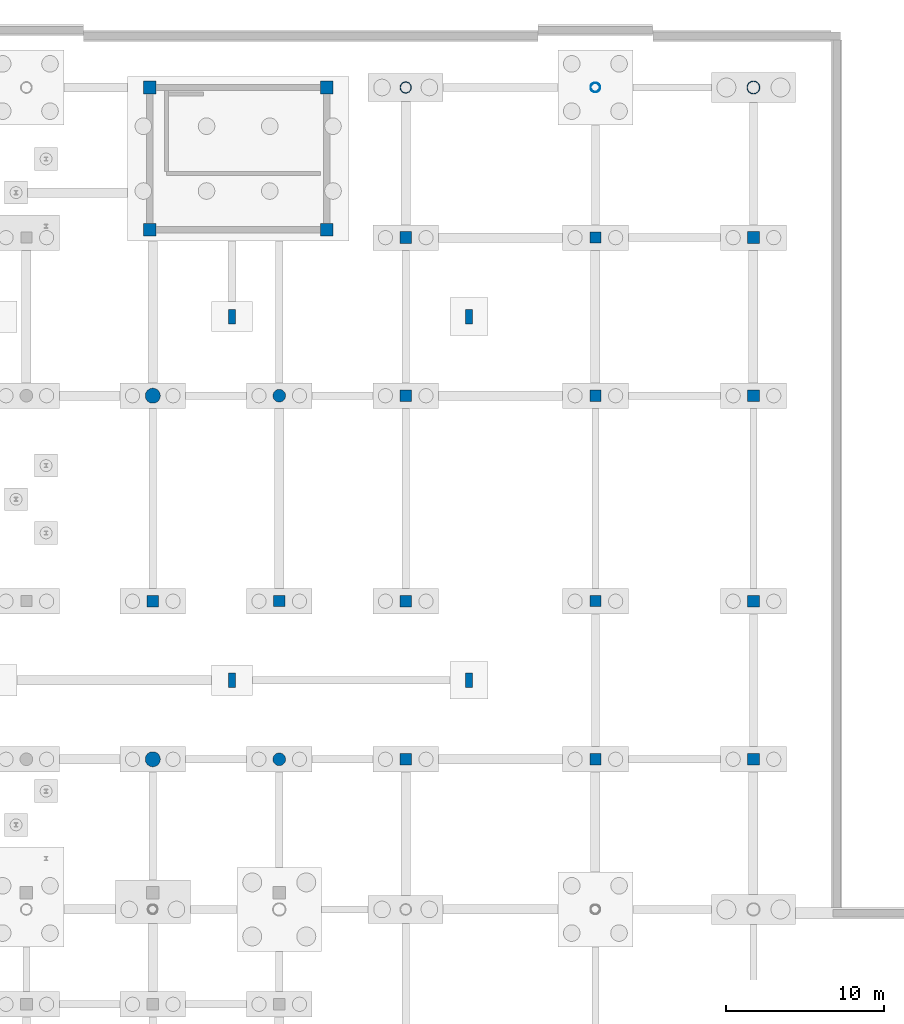
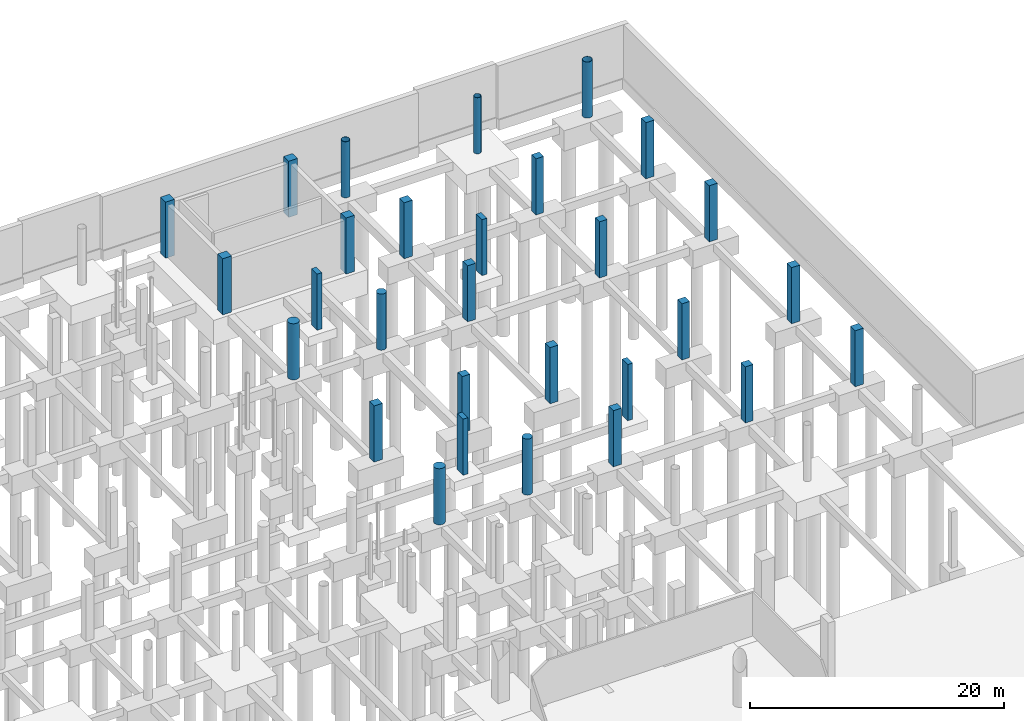
# One storey, part 46 of 65: 29 columns.
"""IFC4 building model written with IfcOpenShell, lengths in metres."""

from ifc_helpers import new_model, si_unit, direction, frame, origin, origin_2d, place, context, subcontext, project, spatial, rectangle, circle, hollow_circle, extrude, material, material_profile, profile_set, type_object, element, save


model = new_model("IFC4")

# Units and contexts
model_context = context("Model", 3, precision=1e-05, world=origin(), true_north=direction((0.0, 1.0)))
body_context = subcontext(model_context, "Body", "Model", "MODEL_VIEW")
ifc_project = project(units=[si_unit("LENGTHUNIT", "METRE"), si_unit("AREAUNIT", "SQUARE_METRE"), si_unit("VOLUMEUNIT", "CUBIC_METRE"), si_unit("PLANEANGLEUNIT", "RADIAN"), si_unit("MASSUNIT", "GRAM", prefix="KILO")], contexts=[model_context])

# Site, building, storey
site_placement = place(None, origin())
site = spatial("IfcSite", under=ifc_project, at=site_placement, CompositionType="ELEMENT")
building_placement = place(site_placement, origin())
building = spatial("IfcBuilding", under=site, at=building_placement, Name="Khorjan Park Terminus", CompositionType="ELEMENT")
storey_placement = place(building_placement, frame((0.0, 0.0, -5.4)))
storey = spatial("IfcBuildingStorey", under=building, at=storey_placement, Name="B1", CompositionType="ELEMENT", Elevation=-5.4)

# Columns
ifc_material_1 = material(Name="Concrete C40/50", Category="concrete")
ifc_material_profile_1 = material_profile(ifc_material_1, rectangle(XDim=0.45, YDim=0.9, at=origin_2d()), Name="RC 450x900")
ifc_profile_set_1 = profile_set([ifc_material_profile_1], Name="Concrete C40/50")
column_type_1 = type_object("IfcColumnType", Name="COL-PIL900", PredefinedType="PILASTER", material=ifc_profile_set_1)
for number, where, z_axis, x_axis, name in (
    (1, (125.0, 116.5, 0.0), (0.0, 0.0, 1.0), (1.0, 0.0, 0.0), "Substructure track-bed pilaster CP-09 (9 B1)"),
    (2, (140.0, 116.5, 0.0), (0.0, 0.0, 1.0), (1.0, 0.0, 0.0), "Substructure track-bed pilaster CP-09 (10 B1)"),
    (3, (125.0, 139.5, 0.0), (0.0, 0.0, 1.0), (1.0, 0.0, 0.0), "Substructure track-bed pilaster CP-09 (19 B1)"),
    (4, (140.0, 139.5, 0.0), (0.0, 0.0, 1.0), (1.0, 0.0, 0.0), "Substructure track-bed pilaster CP-09 (20 B1)"),
):
    element("IfcColumn", number, at=place(storey_placement, frame(where, z_axis=z_axis, x_axis=x_axis)), inside=storey, type_object=column_type_1, Name=name, PredefinedType="PILASTER", context=body_context, shape_type="SweptSolid", body=[
        extrude(rectangle(XDim=0.45, YDim=0.9, at=origin_2d()), origin(), (0.0, 0.0, 1.0), 5.4),
    ])
ifc_material_profile_2 = material_profile(ifc_material_1, rectangle(XDim=0.7, YDim=0.7, at=origin_2d()), Name="RC 700x700")
ifc_profile_set_2 = profile_set([ifc_material_profile_2], Name="Concrete C40/50")
column_type_2 = type_object("IfcColumnType", Name="COL-RC700", PredefinedType="COLUMN", material=ifc_profile_set_2)
for number, where, z_axis, x_axis, name in (
    (5, (128.0, 121.5, 0.0), (0.0, 0.0, 1.0), (1.0, 0.0, 0.0), "Structural column C-RC07 (B1 #191)"),
    (6, (148.0, 111.5, 0.0), (0.0, 0.0, 1.0), (1.0, 0.0, 0.0), "Structural column C-RC07 (B1 #214)"),
    (7, (148.0, 121.5, 0.0), (0.0, 0.0, 1.0), (1.0, 0.0, 0.0), "Structural column C-RC07 (B1 #215)"),
    (8, (148.0, 134.5, 0.0), (0.0, 0.0, 1.0), (1.0, 0.0, 0.0), "Structural column C-RC07 (B1 #216)"),
    (9, (148.0, 144.5, 0.0), (0.0, 0.0, 1.0), (1.0, 0.0, 0.0), "Structural column C-RC07 (B1 #217)"),
):
    element("IfcColumn", number, at=place(storey_placement, frame(where, z_axis=z_axis, x_axis=x_axis)), inside=storey, type_object=column_type_2, Name=name, PredefinedType="COLUMN", context=body_context, shape_type="SweptSolid", body=[
        extrude(rectangle(XDim=0.7, YDim=0.7, at=origin_2d()), origin(), (0.0, 0.0, 1.0), 5.4),
    ])
ifc_material_profile_3 = material_profile(ifc_material_1, rectangle(XDim=0.75, YDim=0.75, at=origin_2d()), Name="RC 750x750")
ifc_profile_set_3 = profile_set([ifc_material_profile_3], Name="Concrete C40/50")
column_type_3 = type_object("IfcColumnType", Name="COL-RC750", PredefinedType="COLUMN", material=ifc_profile_set_3)
for number, where, z_axis, x_axis, name in (
    (10, (120.0, 121.5, 0.0), (0.0, 0.0, 1.0), (1.0, 0.0, 0.0), "Structural column C-RC75 (B1 #182)"),
    (11, (136.0, 111.5, 0.0), (0.0, 0.0, 1.0), (1.0, 0.0, 0.0), "Structural column C-RC75 (B1 #202)"),
    (12, (136.0, 121.5, 0.0), (0.0, 0.0, 1.0), (1.0, 0.0, 0.0), "Structural column C-RC75 (B1 #203)"),
    (13, (136.0, 134.5, 0.0), (0.0, 0.0, 1.0), (1.0, 0.0, 0.0), "Structural column C-RC75 (B1 #204)"),
    (14, (136.0, 144.5, 0.0), (0.0, 0.0, 1.0), (1.0, 0.0, 0.0), "Structural column C-RC75 (B1 #205)"),
    (15, (158.0, 111.5, 0.0), (0.0, 0.0, 1.0), (1.0, 0.0, 0.0), "Structural column C-RC75 (B1 #226)"),
    (16, (158.0, 121.5, 0.0), (0.0, 0.0, 1.0), (1.0, 0.0, 0.0), "Structural column C-RC75 (B1 #227)"),
    (17, (158.0, 134.5, 0.0), (0.0, 0.0, 1.0), (1.0, 0.0, 0.0), "Structural column C-RC75 (B1 #228)"),
    (18, (158.0, 144.5, 0.0), (0.0, 0.0, 1.0), (1.0, 0.0, 0.0), "Structural column C-RC75 (B1 #229)"),
):
    element("IfcColumn", number, at=place(storey_placement, frame(where, z_axis=z_axis, x_axis=x_axis)), inside=storey, type_object=column_type_3, Name=name, PredefinedType="COLUMN", context=body_context, shape_type="SweptSolid", body=[
        extrude(rectangle(XDim=0.75, YDim=0.75, at=origin_2d()), origin(), (0.0, 0.0, 1.0), 5.4),
    ])
ifc_material_profile_4 = material_profile(ifc_material_1, rectangle(XDim=0.8, YDim=0.8, at=origin_2d()), Name="RC 800x800")
ifc_profile_set_4 = profile_set([ifc_material_profile_4], Name="Concrete C40/50")
column_type_4 = type_object("IfcColumnType", Name="COL-RC800", PredefinedType="COLUMN", material=ifc_profile_set_4)
for number, where, z_axis, x_axis, name in (
    (19, (131.0, 154.0, 0.0), (0.0, 0.0, 1.0), (-1.0, 0.0, 0.0), "Structural column C-RC08 (B1 #1057)"),
    (20, (119.8, 154.0, 0.0), (0.0, 0.0, 1.0), (-1.0, 0.0, 0.0), "Structural column C-RC08 (B1 #1058)"),
    (21, (119.8, 145.0, 0.0), (0.0, 0.0, 1.0), (-1.0, 0.0, 0.0), "Structural column C-RC08 (B1 #1059)"),
    (22, (131.0, 145.0, 0.0), (0.0, 0.0, 1.0), (-1.0, 0.0, 0.0), "Structural column C-RC08 (B1 #1060)"),
):
    element("IfcColumn", number, at=place(storey_placement, frame(where, z_axis=z_axis, x_axis=x_axis)), inside=storey, type_object=column_type_4, Name=name, PredefinedType="COLUMN", context=body_context, shape_type="SweptSolid", body=[
        extrude(rectangle(XDim=0.8, YDim=0.8, at=origin_2d()), origin(), (0.0, 0.0, 1.0), 5.4),
    ])
ifc_material_profile_5 = material_profile(ifc_material_1, circle(Radius=0.4, at=origin_2d()), Name="RC D800")
ifc_profile_set_5 = profile_set([ifc_material_profile_5], Name="Concrete C40/50")
column_type_5 = type_object("IfcColumnType", Name="COL-RD800", PredefinedType="COLUMN", material=ifc_profile_set_5)
for number, where, z_axis, x_axis, name in (
    (23, (128.0, 111.5, 0.0), (0.0, 0.0, 1.0), (1.0, 0.0, 0.0), "Structural column C-RD80 (B1 #189)"),
    (24, (128.0, 134.5, 0.0), (0.0, 0.0, 1.0), (1.0, 0.0, 0.0), "Structural column C-RD80 (B1 #192)"),
):
    element("IfcColumn", number, at=place(storey_placement, frame(where, z_axis=z_axis, x_axis=x_axis)), inside=storey, type_object=column_type_5, Name=name, PredefinedType="COLUMN", context=body_context, shape_type="SweptSolid", body=[
        extrude(circle(Radius=0.4, at=origin_2d()), origin(), (0.0, 0.0, 1.0), 5.4),
    ])
ifc_material_2 = material(Name="Concrete C50/60", Category="concrete")
ifc_material_profile_6 = material_profile(ifc_material_2, circle(Radius=0.475, at=origin_2d()), Name="RC D950")
ifc_profile_set_6 = profile_set([ifc_material_profile_6], Name="Concrete C50/60")
column_type_6 = type_object("IfcColumnType", Name="COL-RD950", PredefinedType="COLUMN", material=ifc_profile_set_6)
for number, where, z_axis, x_axis, name in (
    (25, (120.0, 111.5, 0.0), (0.0, 0.0, 1.0), (1.0, 0.0, 0.0), "Structural column C-RD95 (B1 #180)"),
    (26, (120.0, 134.5, 0.0), (0.0, 0.0, 1.0), (1.0, 0.0, 0.0), "Structural column C-RD95 (B1 #183)"),
):
    element("IfcColumn", number, at=place(storey_placement, frame(where, z_axis=z_axis, x_axis=x_axis)), inside=storey, type_object=column_type_6, Name=name, PredefinedType="COLUMN", context=body_context, shape_type="SweptSolid", body=[
        extrude(circle(Radius=0.475, at=origin_2d()), origin(), (0.0, 0.0, 1.0), 5.4),
    ])
ifc_material_3 = material(Name="Steel S355", Category="steel")
ifc_material_profile_7 = material_profile(ifc_material_3, hollow_circle(Radius=0.305, WallThickness=0.02, at=origin_2d()), Name="CHS 610x20")
ifc_profile_set_7 = profile_set([ifc_material_profile_7], Name="Steel S355")
column_type_7 = type_object("IfcColumnType", Name="COL-SH610E", PredefinedType="COLUMN", material=ifc_profile_set_7)
column_1_placement = place(storey_placement, frame((148.0, 154.0, 0.0), z_axis=(0.0, 0.0, 1.0), x_axis=(1.0, 0.0, 0.0)))
element("IfcColumn", 27, at=column_1_placement, inside=storey, type_object=column_type_7, Name="Structural column SC-61 (B1 #210)", PredefinedType="COLUMN", context=body_context, shape_type="SweptSolid", body=[
    extrude(hollow_circle(Radius=0.305, WallThickness=0.02, at=origin_2d()), origin(), (0.0, 0.0, 1.0), 5.4),
])
ifc_material_profile_8 = material_profile(ifc_material_3, hollow_circle(Radius=0.3555, WallThickness=0.025, at=origin_2d()), Name="CHS 711x25")
ifc_profile_set_8 = profile_set([ifc_material_profile_8], Name="Steel S355")
column_type_8 = type_object("IfcColumnType", Name="COL-SH711E", PredefinedType="COLUMN", material=ifc_profile_set_8)
column_2_placement = place(storey_placement, frame((136.0, 154.0, 0.0), z_axis=(0.0, 0.0, 1.0), x_axis=(1.0, 0.0, 0.0)))
element("IfcColumn", 28, at=column_2_placement, inside=storey, type_object=column_type_8, Name="Structural column SC-71 (B1 #198)", PredefinedType="COLUMN", context=body_context, shape_type="SweptSolid", body=[
    extrude(hollow_circle(Radius=0.3555, WallThickness=0.025, at=origin_2d()), origin(), (0.0, 0.0, 1.0), 5.4),
])
ifc_material_profile_9 = material_profile(ifc_material_3, hollow_circle(Radius=0.4065, WallThickness=0.025, at=origin_2d()), Name="CHS 813x25")
ifc_profile_set_9 = profile_set([ifc_material_profile_9], Name="Steel S355")
column_type_9 = type_object("IfcColumnType", Name="COL-SH813E", PredefinedType="COLUMN", material=ifc_profile_set_9)
column_3_placement = place(storey_placement, frame((158.0, 154.0, 0.0), z_axis=(0.0, 0.0, 1.0), x_axis=(1.0, 0.0, 0.0)))
element("IfcColumn", 29, at=column_3_placement, inside=storey, type_object=column_type_9, Name="Structural column SC-81 (B1 #222)", PredefinedType="COLUMN", context=body_context, shape_type="SweptSolid", body=[
    extrude(hollow_circle(Radius=0.4065, WallThickness=0.025, at=origin_2d()), origin(), (0.0, 0.0, 1.0), 5.4),
])

save(model, "model.ifc")
